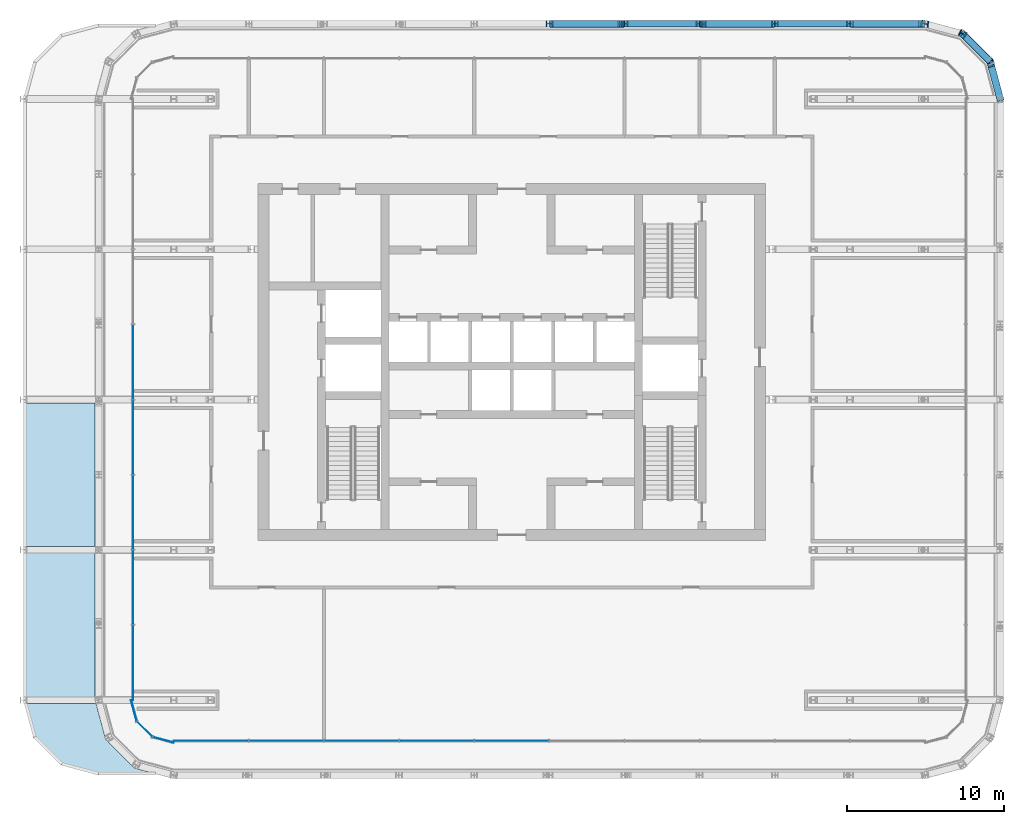
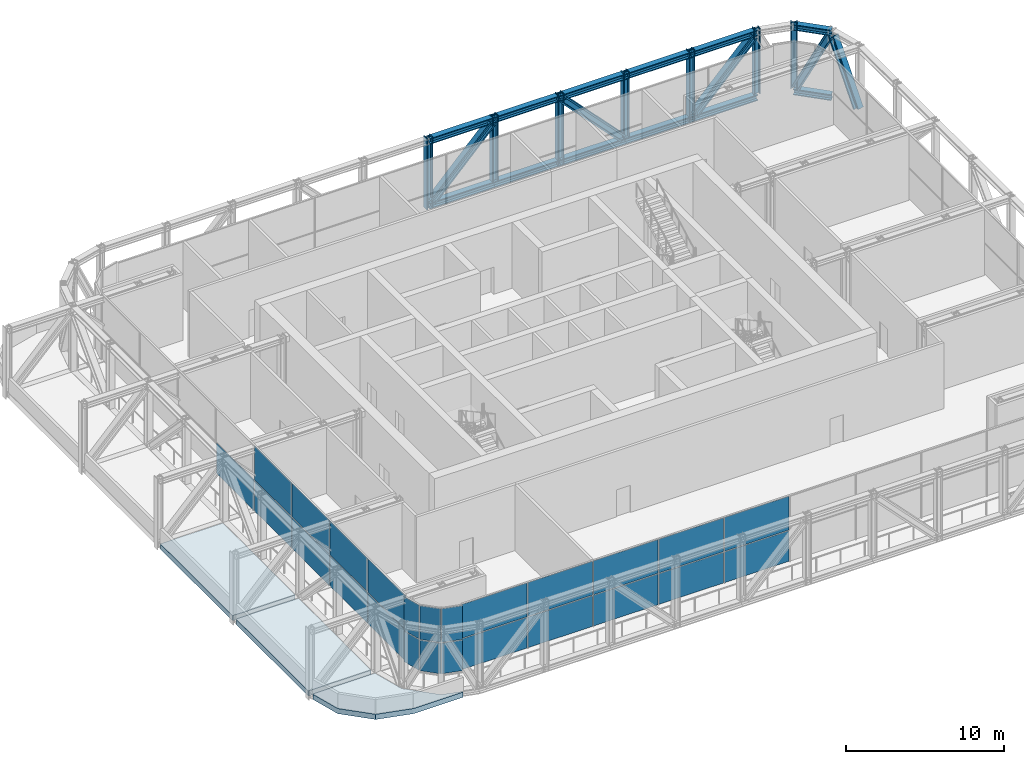
# One storey, part 17 of 30: 25 plates, 24 members, 3 slabs, 3 elements without a shape of their own.
"""IFC4 building model written with IfcOpenShell, lengths in metres."""

import ifcopenshell
import ifcopenshell.guid

model = None  # the IFC model being written
_history = None  # IfcOwnerHistory: only IFC2X3 demands one
_inside = {}  # id of a spatial element -> (the spatial element, [elements in it])
_under = {}  # id of a project, library or spatial element -> (it, [spatial elements below it])
_declared = {}  # id of a project -> (the project, [libraries it declares])
_typed = {}  # id of a type object -> (the type object, [elements of that type])
_made_of = {}  # id of a material, layer set ... -> (it, [elements and type objects made of it])


def new_model(schema):
    """Start an empty IFC model of exactly this schema.

    Asked for "IFC4X3", IfcOpenShell would pick the latest addendum, in which some entities
    have other attributes; the version numbers below select the first issue.
    IFC2X3 requires an IfcOwnerHistory on every rooted entity: one is made here for all.
    """
    global model, _history
    if schema == "IFC4X3":
        model = ifcopenshell.file(schema_version=(4, 3, 0, 0))
    else:
        model = ifcopenshell.file(schema=schema)
    _inside.clear()
    _under.clear()
    _declared.clear()
    _typed.clear()
    _made_of.clear()
    _history = None
    if model.schema == "IFC2X3":
        org = make("IfcOrganization", Name="unknown")
        user = make(
            "IfcPersonAndOrganization",
            ThePerson=make("IfcPerson", FamilyName="unknown"),
            TheOrganization=org,
        )
        app = make(
            "IfcApplication",
            ApplicationDeveloper=org,
            Version="unknown",
            ApplicationFullName="unknown",
            ApplicationIdentifier="unknown",
        )
        _history = make(
            "IfcOwnerHistory",
            OwningUser=user,
            OwningApplication=app,
            ChangeAction="ADDED",
            CreationDate=0,
        )
    return model


def make(cls, **values):
    """One entity of the class cls with the attributes given. An attribute that is None is left unset."""
    return model.create_entity(
        cls, **{name: value for name, value in values.items() if value is not None}
    )


def rooted(cls, **values):
    """An entity with a GlobalId (a new one), such as an element, a storey or a relation."""
    return make(cls, GlobalId=ifcopenshell.guid.new(), OwnerHistory=_history, **values)


def si_unit(unit_type, name, prefix=None):
    """IfcSIUnit, for example si_unit("LENGTHUNIT", "METRE", prefix="MILLI")."""
    return make("IfcSIUnit", UnitType=unit_type, Prefix=prefix, Name=name)


def assignment(units):
    """IfcUnitAssignment: the units of a project."""
    return None if units is None else make("IfcUnitAssignment", Units=units)


def point(xyz):
    """IfcCartesianPoint."""
    return None if xyz is None else make("IfcCartesianPoint", Coordinates=xyz)


def direction(xyz):
    """IfcDirection."""
    return None if xyz is None else make("IfcDirection", DirectionRatios=xyz)


def frame(location, z_axis=None, x_axis=None):
    """IfcAxis2Placement3D, a coordinate frame: its origin and axes. An axis left out is left unset."""
    return make(
        "IfcAxis2Placement3D",
        Location=point(location),
        Axis=direction(z_axis),
        RefDirection=direction(x_axis),
    )


def frame_2d(location, x_axis=None):
    """IfcAxis2Placement2D, a coordinate frame in the plane: its origin and x axis."""
    return make(
        "IfcAxis2Placement2D", Location=point(location), RefDirection=direction(x_axis)
    )


def origin():
    """The frame at (0, 0, 0) with its axes left unset."""
    return frame((0.0, 0.0, 0.0))


def origin_2d():
    """The frame at (0, 0) in the plane with its x axis left unset."""
    return frame_2d((0.0, 0.0))


def place(relative_to, where):
    """IfcLocalPlacement: puts the frame where relative to a parent placement (None: the world)."""
    return make(
        "IfcLocalPlacement", PlacementRelTo=relative_to, RelativePlacement=where
    )


def context(
    kind, dimensions, precision=None, world=None, true_north=None, identifier=None
):
    """IfcGeometricRepresentationContext, for example the 3D "Model" context."""
    return make(
        "IfcGeometricRepresentationContext",
        ContextIdentifier=identifier,
        ContextType=kind,
        CoordinateSpaceDimension=dimensions,
        Precision=precision,
        WorldCoordinateSystem=world,
        TrueNorth=true_north,
    )


def subcontext(parent, identifier, kind, view, scale=None):
    """IfcGeometricRepresentationSubContext, for example "Body" below "Model"."""
    return make(
        "IfcGeometricRepresentationSubContext",
        ContextIdentifier=identifier,
        ContextType=kind,
        ParentContext=parent,
        TargetScale=scale,
        TargetView=view,
    )


def project(units=None, contexts=None):
    """IfcProject with its units and contexts."""
    return rooted(
        "IfcProject",
        Name="project",
        RepresentationContexts=contexts,
        UnitsInContext=assignment(units),
    )


def spatial(cls, under=None, at=None, **own):
    """A site, building, storey or space (cls), placed at a placement, below another one or the project."""
    s = rooted(cls, ObjectPlacement=at, **own)
    if under is not None:
        _under.setdefault(under.id(), (under, []))[1].append(s)
    return s


def polyline(points):
    """IfcPolyline through the points."""
    return make("IfcPolyline", Points=[point(p) for p in points])


def profile(cls, at=None, kind="AREA", **sizes):
    """A parametric profile (cls). Its sizes go by their IFC names, for example OverallWidth=200.0."""
    return make(cls, ProfileType=kind, Position=at, **sizes)


def rectangle(**sizes):
    """IfcRectangleProfileDef."""
    return profile("IfcRectangleProfileDef", **sizes)


def i_section(**sizes):
    """IfcIShapeProfileDef."""
    return profile("IfcIShapeProfileDef", **sizes)


def outline(outer, holes=None, kind="AREA"):
    """IfcArbitraryClosedProfileDef: a profile drawn as a closed curve; with holes, ...WithVoids."""
    if holes is None:
        return make("IfcArbitraryClosedProfileDef", ProfileType=kind, OuterCurve=outer)
    return make(
        "IfcArbitraryProfileDefWithVoids",
        ProfileType=kind,
        OuterCurve=outer,
        InnerCurves=holes,
    )


def extrude(swept, where, along, depth):
    """IfcExtrudedAreaSolid: the profile swept, set in the frame where, extruded along a direction by depth."""
    return make(
        "IfcExtrudedAreaSolid",
        SweptArea=swept,
        Position=where,
        ExtrudedDirection=direction(along),
        Depth=depth,
    )


def shape(context_of_items, identifier, shape_type, items):
    """IfcShapeRepresentation: the items that make up one representation, for example the "Body"."""
    return make(
        "IfcShapeRepresentation",
        ContextOfItems=context_of_items,
        RepresentationIdentifier=identifier,
        RepresentationType=shape_type,
        Items=items,
    )


def material(Name=None, Category=None):
    """IfcMaterial."""
    return make("IfcMaterial", Name=Name, Category=Category)


def layer(
    of_material, thickness, ventilated=None, Name=None, Category=None, Priority=None
):
    """IfcMaterialLayer: one layer of a wall or slab, of a material (None: an air gap)."""
    return make(
        "IfcMaterialLayer",
        Material=of_material,
        LayerThickness=thickness,
        IsVentilated=ventilated,
        Name=Name,
        Category=Category,
        Priority=Priority,
    )


def layer_set(layers, Name=None):
    """IfcMaterialLayerSet."""
    return make("IfcMaterialLayerSet", MaterialLayers=layers, LayerSetName=Name)


def material_profile(
    of_material, cross_section, Name=None, Category=None, Priority=None
):
    """IfcMaterialProfile: a cross section and its material."""
    return make(
        "IfcMaterialProfile",
        Name=Name,
        Material=of_material,
        Profile=cross_section,
        Priority=Priority,
        Category=Category,
    )


def profile_set(profiles, Name=None, composite=None):
    """IfcMaterialProfileSet."""
    return make(
        "IfcMaterialProfileSet",
        Name=Name,
        MaterialProfiles=profiles,
        CompositeProfile=composite,
    )


def made_of(thing, what):
    """Note that an element or type object is made of a material, layer set ...; save() writes the relation."""
    if what is not None:
        _made_of.setdefault(what.id(), (what, []))[1].append(thing)
    return thing


def type_object(cls, material=None, **own):
    """A type object (cls), such as IfcWallType, which elements share."""
    return made_of(rooted(cls, **own), material)


def element(
    cls,
    number,
    at=None,
    inside=None,
    cuts=None,
    type_object=None,
    material=None,
    context=None,
    identifier="Body",
    shape_type=None,
    held_by="IfcProductDefinitionShape",
    body=None,
    shapes=None,
    **own,
):
    """One element of the class cls, such as IfcWall. Its Tag is "e" and its number.

    at: its placement. inside: the storey or other place that contains it. cuts: it is an
    opening in that element (IfcRelVoidsElement). A single representation is given by context,
    identifier, shape_type and body (its items); several are given by shapes. held_by: the class
    of the entity that holds the representations. save() writes the other relations.
    """
    e = rooted(cls, Tag="e%d" % number, ObjectPlacement=at, **own)
    if body is not None:
        shapes = [shape(context, identifier, shape_type, body)]
    if shapes is not None:
        e.Representation = make(held_by, Representations=shapes)
    if inside is not None:
        _inside.setdefault(inside.id(), (inside, []))[1].append(e)
    if cuts is not None:
        rooted(
            "IfcRelVoidsElement", RelatingBuildingElement=cuts, RelatedOpeningElement=e
        )
    if type_object is not None:
        _typed.setdefault(type_object.id(), (type_object, []))[1].append(e)
    return made_of(e, material)


def aggregate(whole, parts):
    """IfcRelAggregates: a whole, such as a stair, and the parts it consists of."""
    return rooted("IfcRelAggregates", RelatingObject=whole, RelatedObjects=parts)


def save(model, path):
    """Write the relations noted so far, then the file.

    IfcRelAggregates (storeys below a building ...), IfcRelContainedInSpatialStructure (elements
    in a storey), IfcRelDefinesByType, IfcRelAssociatesMaterial and IfcRelDeclares: one each for
    every whole, place, type object, material and project.
    """
    for whole, parts in _under.values():
        aggregate(whole, parts)
    for where, things in _inside.values():
        rooted(
            "IfcRelContainedInSpatialStructure",
            RelatedElements=things,
            RelatingStructure=where,
        )
    for kind, things in _typed.values():
        rooted("IfcRelDefinesByType", RelatedObjects=things, RelatingType=kind)
    for what, things in _made_of.values():
        rooted("IfcRelAssociatesMaterial", RelatedObjects=things, RelatingMaterial=what)
    for by, libraries in _declared.values():
        rooted("IfcRelDeclares", RelatingContext=by, RelatedDefinitions=libraries)
    model.write(path)


model = new_model("IFC4")

# Units and contexts
model_context = context("Model", 3, precision=1e-05, world=origin(), true_north=direction((0.0, 1.0)))
body_context = subcontext(model_context, "Body", "Model", "MODEL_VIEW")
ifc_project = project(units=[si_unit("LENGTHUNIT", "METRE"), si_unit("AREAUNIT", "SQUARE_METRE"), si_unit("VOLUMEUNIT", "CUBIC_METRE"), si_unit("PLANEANGLEUNIT", "RADIAN"), si_unit("MASSUNIT", "GRAM", prefix="KILO")], contexts=[model_context])

# Site, building, storey
site_placement = place(None, origin())
site = spatial("IfcSite", under=ifc_project, at=site_placement, CompositionType="ELEMENT")
building_placement = place(site_placement, origin())
building = spatial("IfcBuilding", under=site, at=building_placement, Name="Madar Terraces", CompositionType="ELEMENT")
storey_placement = place(building_placement, frame((0.0, 0.0, 173.5)))
storey = spatial("IfcBuildingStorey", under=building, at=storey_placement, Name="L45", CompositionType="ELEMENT", Elevation=173.5)

# Members
ifc_material_1 = material(Name="Steel ASTM A913 Grade 65", Category="steel")
ifc_material_profile_1 = material_profile(ifc_material_1, i_section(OverallWidth=0.421630859375, OverallDepth=0.46484375, WebThickness=0.044921875, FlangeThickness=0.072509765625, at=origin_2d()), Name="W14x398")
ifc_profile_set_1 = profile_set([ifc_material_profile_1], Name="Steel ASTM A913 Grade 65")
member_type_1 = type_object("IfcMemberType", Name="BC6 W14x398", PredefinedType="CHORD", material=ifc_profile_set_1)
member_1_placement = place(storey_placement, frame((61.7568359375, 45.60009765625, -0.1875), z_axis=(-0.707106781187, 0.707106781187, 0.0), x_axis=(-0.707106781187, -0.707106781187, 0.0)))
element("IfcMember", 1, at=member_1_placement, inside=storey, type_object=member_type_1, Name="Exoskeleton truss ring bottom chord BC6", PredefinedType="CHORD", context=body_context, shape_type="SweptSolid", body=[
    extrude(i_section(OverallWidth=0.421630859375, OverallDepth=0.46484375, WebThickness=0.044921875, FlangeThickness=0.072509765625, at=origin_2d()), origin(), (0.0, 0.0, 1.0), 2.484619140625),
])
for number, where, z_axis, x_axis, name in (
    (2, (57.60009765625, 48.0, -0.1875), (-1.0, 0.0, 0.0), (0.0, -1.0, 0.0), "Exoskeleton truss ring bottom chord BC6"),
    (3, (52.800048828125, 48.0, -0.1875), (-1.0, 0.0, 0.0), (0.0, -1.0, 0.0), "Exoskeleton truss ring bottom chord BC6"),
    (4, (48.0, 48.0, -0.1875), (-1.0, 0.0, 0.0), (0.0, -1.0, 0.0), "Exoskeleton truss ring bottom chord BC6"),
    (5, (43.199951171875, 48.0, -0.1875), (-1.0, 0.0, 0.0), (0.0, -1.0, 0.0), "Exoskeleton truss ring bottom chord BC6"),
):
    element("IfcMember", number, at=place(storey_placement, frame(where, z_axis=z_axis, x_axis=x_axis)), inside=storey, type_object=member_type_1, Name=name, PredefinedType="CHORD", context=body_context, shape_type="SweptSolid", body=[
        extrude(i_section(OverallWidth=0.421630859375, OverallDepth=0.46484375, WebThickness=0.044921875, FlangeThickness=0.072509765625, at=origin_2d()), origin(), (0.0, 0.0, 1.0), 4.800048828125),
    ])
member_2_placement = place(storey_placement, frame((38.39990234375, 48.0, -0.1875), z_axis=(-1.0, 0.0, 0.0), x_axis=(0.0, -1.0, 0.0)))
element("IfcMember", 6, at=member_2_placement, inside=storey, type_object=member_type_1, Name="Exoskeleton truss ring bottom chord BC6", PredefinedType="CHORD", context=body_context, shape_type="SweptSolid", body=[
    extrude(i_section(OverallWidth=0.421630859375, OverallDepth=0.46484375, WebThickness=0.044921875, FlangeThickness=0.072509765625, at=origin_2d()), origin(), (0.0, 0.0, 1.0), 4.7998046875),
])
ifc_material_2 = material(Name="Steel ASTM A913 Grade 65", Category="steel")
ifc_material_profile_2 = material_profile(ifc_material_2, i_section(OverallWidth=0.41650390625, OverallDepth=0.444580078125, WebThickness=0.0390625, FlangeThickness=0.062744140625, at=origin_2d()), Name="W14x342")
ifc_profile_set_2 = profile_set([ifc_material_profile_2], Name="Steel ASTM A913 Grade 65")
member_type_2 = type_object("IfcMemberType", Name="TC6 W14x342", PredefinedType="CHORD", material=ifc_profile_set_2)
member_3_placement = place(storey_placement, frame((61.7568359375, 45.60009765625, 4.807861328125), z_axis=(-0.707106781187, 0.707106781187, 0.0), x_axis=(-0.707106781187, -0.707106781187, 0.0)))
element("IfcMember", 7, at=member_3_placement, inside=storey, type_object=member_type_2, Name="Exoskeleton truss ring top chord TC6", PredefinedType="CHORD", context=body_context, shape_type="SweptSolid", body=[
    extrude(i_section(OverallWidth=0.41650390625, OverallDepth=0.444580078125, WebThickness=0.0390625, FlangeThickness=0.062744140625, at=origin_2d()), origin(), (0.0, 0.0, 1.0), 2.484619140625),
])
for number, where, z_axis, x_axis, name in (
    (8, (57.60009765625, 48.0, 4.807861328125), (-1.0, 0.0, 0.0), (0.0, -1.0, 0.0), "Exoskeleton truss ring top chord TC6"),
    (9, (52.800048828125, 48.0, 4.807861328125), (-1.0, 0.0, 0.0), (0.0, -1.0, 0.0), "Exoskeleton truss ring top chord TC6"),
    (10, (48.0, 48.0, 4.807861328125), (-1.0, 0.0, 0.0), (0.0, -1.0, 0.0), "Exoskeleton truss ring top chord TC6"),
    (11, (43.199951171875, 48.0, 4.807861328125), (-1.0, 0.0, 0.0), (0.0, -1.0, 0.0), "Exoskeleton truss ring top chord TC6"),
):
    element("IfcMember", number, at=place(storey_placement, frame(where, z_axis=z_axis, x_axis=x_axis)), inside=storey, type_object=member_type_2, Name=name, PredefinedType="CHORD", context=body_context, shape_type="SweptSolid", body=[
        extrude(i_section(OverallWidth=0.41650390625, OverallDepth=0.444580078125, WebThickness=0.0390625, FlangeThickness=0.062744140625, at=origin_2d()), origin(), (0.0, 0.0, 1.0), 4.800048828125),
    ])
member_4_placement = place(storey_placement, frame((38.39990234375, 48.0, 4.807861328125), z_axis=(-1.0, 0.0, 0.0), x_axis=(0.0, -1.0, 0.0)))
element("IfcMember", 12, at=member_4_placement, inside=storey, type_object=member_type_2, Name="Exoskeleton truss ring top chord TC6", PredefinedType="CHORD", context=body_context, shape_type="SweptSolid", body=[
    extrude(i_section(OverallWidth=0.41650390625, OverallDepth=0.444580078125, WebThickness=0.0390625, FlangeThickness=0.062744140625, at=origin_2d()), origin(), (0.0, 0.0, 1.0), 4.7998046875),
])
ifc_material_3 = material(Name="Steel ASTM A913 Grade 65", Category="steel")
ifc_material_profile_3 = material_profile(ifc_material_3, i_section(OverallWidth=0.44189453125, OverallDepth=0.53076171875, WebThickness=0.06591796875, FlangeThickness=0.105712890625, at=origin_2d()), Name="W14x605")
ifc_profile_set_3 = profile_set([ifc_material_profile_3], Name="Steel ASTM A913 Grade 65")
member_type_3 = type_object("IfcMemberType", Name="TD6 W14x605", PredefinedType="BRACE", material=ifc_profile_set_3)
for number, where, z_axis, x_axis, name in (
    (13, (62.3701171875, 43.311767578125, 0.044921875), (-0.115254628021, 0.4301587725, 0.895365735977), (-0.965929232481, -0.258806332687, 0.0), "Exoskeleton truss ring diagonal TD6"),
    (14, (61.6787109375, 45.67822265625, 4.58544921875), (-0.314902720873, 0.314902720873, -0.895361688243), (-0.707106781187, -0.707106781187, 0.0), "Exoskeleton truss ring diagonal TD6"),
):
    element("IfcMember", number, at=place(storey_placement, frame(where, z_axis=z_axis, x_axis=x_axis)), inside=storey, type_object=member_type_3, Name=name, PredefinedType="BRACE", context=body_context, shape_type="SweptSolid", body=[
        extrude(i_section(OverallWidth=0.44189453125, OverallDepth=0.53076171875, WebThickness=0.06591796875, FlangeThickness=0.105712890625, at=origin_2d()), origin(), (0.0, 0.0, 1.0), 5.071044921875),
    ])
for number, where, z_axis, x_axis, name in (
    (15, (57.386474609375, 48.0, 4.58544921875), (-0.692873133915, 0.0, -0.721059512314), (0.0, -1.0, 0.0), "Exoskeleton truss ring diagonal TD6"),
    (16, (47.776611328125, 48.0, 0.044921875), (-0.692873133915, 0.0, 0.721059512314), (0.0, -1.0, 0.0), "Exoskeleton truss ring diagonal TD6"),
    (17, (38.1865234375, 48.0, 4.58544921875), (-0.692893291087, 0.0, -0.721040142549), (0.0, -1.0, 0.0), "Exoskeleton truss ring diagonal TD6"),
):
    element("IfcMember", number, at=place(storey_placement, frame(where, z_axis=z_axis, x_axis=x_axis)), inside=storey, type_object=member_type_3, Name=name, PredefinedType="BRACE", context=body_context, shape_type="SweptSolid", body=[
        extrude(i_section(OverallWidth=0.44189453125, OverallDepth=0.53076171875, WebThickness=0.06591796875, FlangeThickness=0.105712890625, at=origin_2d()), origin(), (0.0, 0.0, 1.0), 6.297119140625),
    ])
ifc_material_4 = material(Name="Steel ASTM A913 Grade 65", Category="steel")
ifc_material_profile_4 = material_profile(ifc_material_4, i_section(OverallWidth=0.411376953125, OverallDepth=0.434326171875, WebThickness=0.035888671875, FlangeThickness=0.057373046875, at=origin_2d()), Name="W14x311")
ifc_profile_set_4 = profile_set([ifc_material_profile_4], Name="Steel ASTM A913 Grade 65")
member_type_4 = type_object("IfcMemberType", Name="TV6 W14x311", PredefinedType="POST", material=ifc_profile_set_4)
for number, where, z_axis, x_axis, name in (
    (18, (60.0, 47.35693359375, 0.044921875), (0.0, 0.0, 1.0), (-0.499999984885, -0.866025412511, 0.0), "Exoskeleton truss ring post TV6"),
    (19, (57.60009765625, 48.0, 0.044921875), (0.0, 0.0, 1.0), (-0.130526174916, -0.991444863652, 0.0), "Exoskeleton truss ring post TV6"),
):
    element("IfcMember", number, at=place(storey_placement, frame(where, z_axis=z_axis, x_axis=x_axis)), inside=storey, type_object=member_type_4, Name=name, PredefinedType="POST", context=body_context, shape_type="SweptSolid", body=[
        extrude(i_section(OverallWidth=0.411376953125, OverallDepth=0.434326171875, WebThickness=0.035888671875, FlangeThickness=0.057373046875, at=origin_2d()), origin(), (0.0, 0.0, 1.0), 5.05517578125),
    ])
member_5_placement = place(storey_placement, frame((52.800048828125, 48.0, -0.419921875), z_axis=(0.0, 0.0, 1.0), x_axis=(0.0, -1.0, 0.0)))
element("IfcMember", 20, at=member_5_placement, inside=storey, type_object=member_type_4, Name="Exoskeleton truss ring post TV6", PredefinedType="POST", context=body_context, shape_type="SweptSolid", body=[
    extrude(i_section(OverallWidth=0.411376953125, OverallDepth=0.434326171875, WebThickness=0.035888671875, FlangeThickness=0.057373046875, at=origin_2d()), origin(), (0.0, 0.0, 1.0), 5.52001953125),
])
member_6_placement = place(storey_placement, frame((48.0, 48.0, 0.044921875), z_axis=(0.0, 0.0, 1.0), x_axis=(0.0, -1.0, 0.0)))
element("IfcMember", 21, at=member_6_placement, inside=storey, type_object=member_type_4, Name="Exoskeleton truss ring post TV6", PredefinedType="POST", context=body_context, shape_type="SweptSolid", body=[
    extrude(i_section(OverallWidth=0.411376953125, OverallDepth=0.434326171875, WebThickness=0.035888671875, FlangeThickness=0.057373046875, at=origin_2d()), origin(), (0.0, 0.0, 1.0), 5.05517578125),
])
member_7_placement = place(storey_placement, frame((43.199951171875, 48.0, -0.419921875), z_axis=(0.0, 0.0, 1.0), x_axis=(0.0, -1.0, 0.0)))
element("IfcMember", 22, at=member_7_placement, inside=storey, type_object=member_type_4, Name="Exoskeleton truss ring post TV6", PredefinedType="POST", context=body_context, shape_type="SweptSolid", body=[
    extrude(i_section(OverallWidth=0.411376953125, OverallDepth=0.434326171875, WebThickness=0.035888671875, FlangeThickness=0.057373046875, at=origin_2d()), origin(), (0.0, 0.0, 1.0), 5.52001953125),
])
member_8_placement = place(storey_placement, frame((38.39990234375, 48.0, 0.044921875), z_axis=(0.0, 0.0, 1.0), x_axis=(0.0, -1.0, 0.0)))
element("IfcMember", 23, at=member_8_placement, inside=storey, type_object=member_type_4, Name="Exoskeleton truss ring post TV6", PredefinedType="POST", context=body_context, shape_type="SweptSolid", body=[
    extrude(i_section(OverallWidth=0.411376953125, OverallDepth=0.434326171875, WebThickness=0.035888671875, FlangeThickness=0.057373046875, at=origin_2d()), origin(), (0.0, 0.0, 1.0), 5.05517578125),
])
member_9_placement = place(storey_placement, frame((33.60009765625, 48.0, -0.419921875), z_axis=(0.0, 0.0, 1.0), x_axis=(0.0, -1.0, 0.0)))
element("IfcMember", 24, at=member_9_placement, inside=storey, type_object=member_type_4, Name="Exoskeleton truss ring post TV6", PredefinedType="POST", context=body_context, shape_type="SweptSolid", body=[
    extrude(i_section(OverallWidth=0.411376953125, OverallDepth=0.434326171875, WebThickness=0.035888671875, FlangeThickness=0.057373046875, at=origin_2d()), origin(), (0.0, 0.0, 1.0), 5.52001953125),
])

# Curtain wall, plates
ifc_material_5 = material(Name="Glass, ceramic frit dark grey, with black aluminium frame", Category="aluminium")
ifc_layer_1 = layer(ifc_material_5, 0.199951171875)
ifc_layer_set_1 = layer_set([ifc_layer_1], Name="Facade curtain wall, tall glazing")
curtain_wall_type = type_object("IfcCurtainWallType", Name="Facade curtain wall, tall glazing", PredefinedType="NOTDEFINED", material=ifc_layer_set_1)
curtain_wall_1_placement = place(storey_placement, origin())
curtain_wall_1 = element("IfcCurtainWall", 25, at=curtain_wall_1_placement, inside=storey, type_object=curtain_wall_type, Name="Outer skin curtain wall south bay 1", PredefinedType="NOTDEFINED")
ifc_material_6 = material(Name="Glass, ceramic frit dark grey", Category="glass")
ifc_layer_2 = layer(ifc_material_6, 0.028076171875)
ifc_layer_set_2 = layer_set([ifc_layer_2], Name="Facade glass panel 28")
plate_type = type_object("IfcPlateType", Name="Facade glass panel 28", PredefinedType="CURTAIN_PANEL", material=ifc_layer_set_2)
plate_1_placement = place(storey_placement, frame((11.985107421875, 2.199951171875, 0.0), z_axis=(0.0, 0.0, 1.0), x_axis=(1.0, 0.0, 0.0)))
plate_1 = element("IfcPlate", 26, at=plate_1_placement, type_object=plate_type, Name="Panel 1", PredefinedType="CURTAIN_PANEL", context=body_context, shape_type="SweptSolid", body=[
    extrude(rectangle(XDim=4.77001953125, YDim=0.028076171875, at=origin_2d()), origin(), (0.0, 0.0, 1.0), 2.3701171875),
])
plate_2_placement = place(storey_placement, frame((11.985107421875, 2.199951171875, 2.43017578125), z_axis=(0.0, 0.0, 1.0), x_axis=(1.0, 0.0, 0.0)))
plate_2 = element("IfcPlate", 27, at=plate_2_placement, type_object=plate_type, Name="Panel 2", PredefinedType="CURTAIN_PANEL", context=body_context, shape_type="SweptSolid", body=[
    extrude(rectangle(XDim=4.77001953125, YDim=0.028076171875, at=origin_2d()), origin(), (0.0, 0.0, 1.0), 2.610107421875),
])
plate_3_placement = place(storey_placement, frame((16.800048828125, 2.199951171875, 0.0), z_axis=(0.0, 0.0, 1.0), x_axis=(1.0, 0.0, 0.0)))
plate_3 = element("IfcPlate", 28, at=plate_3_placement, type_object=plate_type, Name="Panel 3", PredefinedType="CURTAIN_PANEL", context=body_context, shape_type="SweptSolid", body=[
    extrude(rectangle(XDim=4.739990234375, YDim=0.028076171875, at=origin_2d()), origin(), (0.0, 0.0, 1.0), 2.3701171875),
])
plate_4_placement = place(storey_placement, frame((16.800048828125, 2.199951171875, 2.43017578125), z_axis=(0.0, 0.0, 1.0), x_axis=(1.0, 0.0, 0.0)))
plate_4 = element("IfcPlate", 29, at=plate_4_placement, type_object=plate_type, Name="Panel 4", PredefinedType="CURTAIN_PANEL", context=body_context, shape_type="SweptSolid", body=[
    extrude(rectangle(XDim=4.739990234375, YDim=0.028076171875, at=origin_2d()), origin(), (0.0, 0.0, 1.0), 2.610107421875),
])
plate_5_placement = place(storey_placement, frame((21.60009765625, 2.199951171875, 0.0), z_axis=(0.0, 0.0, 1.0), x_axis=(1.0, 0.0, 0.0)))
plate_5 = element("IfcPlate", 30, at=plate_5_placement, type_object=plate_type, Name="Panel 5", PredefinedType="CURTAIN_PANEL", context=body_context, shape_type="SweptSolid", body=[
    extrude(rectangle(XDim=4.739990234375, YDim=0.028076171875, at=origin_2d()), origin(), (0.0, 0.0, 1.0), 2.3701171875),
])
plate_6_placement = place(storey_placement, frame((21.60009765625, 2.199951171875, 2.43017578125), z_axis=(0.0, 0.0, 1.0), x_axis=(1.0, 0.0, 0.0)))
plate_6 = element("IfcPlate", 31, at=plate_6_placement, type_object=plate_type, Name="Panel 6", PredefinedType="CURTAIN_PANEL", context=body_context, shape_type="SweptSolid", body=[
    extrude(rectangle(XDim=4.739990234375, YDim=0.028076171875, at=origin_2d()), origin(), (0.0, 0.0, 1.0), 2.610107421875),
])
plate_7_placement = place(storey_placement, frame((26.39990234375, 2.199951171875, 0.0), z_axis=(0.0, 0.0, 1.0), x_axis=(1.0, 0.0, 0.0)))
plate_7 = element("IfcPlate", 32, at=plate_7_placement, type_object=plate_type, Name="Panel 7", PredefinedType="CURTAIN_PANEL", context=body_context, shape_type="SweptSolid", body=[
    extrude(rectangle(XDim=4.739990234375, YDim=0.028076171875, at=origin_2d()), origin(), (0.0, 0.0, 1.0), 2.3701171875),
])
plate_8_placement = place(storey_placement, frame((26.39990234375, 2.199951171875, 2.43017578125), z_axis=(0.0, 0.0, 1.0), x_axis=(1.0, 0.0, 0.0)))
plate_8 = element("IfcPlate", 33, at=plate_8_placement, type_object=plate_type, Name="Panel 8", PredefinedType="CURTAIN_PANEL", context=body_context, shape_type="SweptSolid", body=[
    extrude(rectangle(XDim=4.739990234375, YDim=0.028076171875, at=origin_2d()), origin(), (0.0, 0.0, 1.0), 2.610107421875),
])
plate_9_placement = place(storey_placement, frame((31.199951171875, 2.199951171875, 0.0), z_axis=(0.0, 0.0, 1.0), x_axis=(1.0, 0.0, 0.0)))
plate_9 = element("IfcPlate", 34, at=plate_9_placement, type_object=plate_type, Name="Panel 9", PredefinedType="CURTAIN_PANEL", context=body_context, shape_type="SweptSolid", body=[
    extrude(rectangle(XDim=4.739990234375, YDim=0.028076171875, at=origin_2d()), origin(), (0.0, 0.0, 1.0), 2.3701171875),
])
plate_10_placement = place(storey_placement, frame((31.199951171875, 2.199951171875, 2.43017578125), z_axis=(0.0, 0.0, 1.0), x_axis=(1.0, 0.0, 0.0)))
plate_10 = element("IfcPlate", 35, at=plate_10_placement, type_object=plate_type, Name="Panel 10", PredefinedType="CURTAIN_PANEL", context=body_context, shape_type="SweptSolid", body=[
    extrude(rectangle(XDim=4.739990234375, YDim=0.028076171875, at=origin_2d()), origin(), (0.0, 0.0, 1.0), 2.610107421875),
])
aggregate(curtain_wall_1, [plate_1, plate_2, plate_3, plate_4, plate_5, plate_6, plate_7, plate_8, plate_9, plate_10])

curtain_wall_2_placement = place(storey_placement, origin())
curtain_wall_2 = element("IfcCurtainWall", 36, at=curtain_wall_2_placement, inside=storey, type_object=curtain_wall_type, Name="Outer skin curtain wall west bay 1", PredefinedType="NOTDEFINED")
plate_11_placement = place(storey_placement, frame((7.0, 26.39990234375, 0.0), z_axis=(0.0, 0.0, 1.0), x_axis=(0.0, -1.0, 0.0)))
plate_11 = element("IfcPlate", 37, at=plate_11_placement, type_object=plate_type, Name="Panel 7", PredefinedType="CURTAIN_PANEL", context=body_context, shape_type="SweptSolid", body=[
    extrude(rectangle(XDim=4.739990234375, YDim=0.028076171875, at=origin_2d()), origin(), (0.0, 0.0, 1.0), 2.3701171875),
])
plate_12_placement = place(storey_placement, frame((7.0, 21.60009765625, 0.0), z_axis=(0.0, 0.0, 1.0), x_axis=(0.0, -1.0, 0.0)))
plate_12 = element("IfcPlate", 38, at=plate_12_placement, type_object=plate_type, Name="Panel 9", PredefinedType="CURTAIN_PANEL", context=body_context, shape_type="SweptSolid", body=[
    extrude(rectangle(XDim=4.739990234375, YDim=0.028076171875, at=origin_2d()), origin(), (0.0, 0.0, 1.0), 2.3701171875),
])
plate_13_placement = place(storey_placement, frame((7.0, 21.60009765625, 2.43017578125), z_axis=(0.0, 0.0, 1.0), x_axis=(0.0, -1.0, 0.0)))
plate_13 = element("IfcPlate", 39, at=plate_13_placement, type_object=plate_type, Name="Panel 10", PredefinedType="CURTAIN_PANEL", context=body_context, shape_type="SweptSolid", body=[
    extrude(rectangle(XDim=4.739990234375, YDim=0.028076171875, at=origin_2d()), origin(), (0.0, 0.0, 1.0), 2.610107421875),
])
plate_14_placement = place(storey_placement, frame((7.0, 16.800048828125, 0.0), z_axis=(0.0, 0.0, 1.0), x_axis=(0.0, -1.0, 0.0)))
plate_14 = element("IfcPlate", 40, at=plate_14_placement, type_object=plate_type, Name="Panel 11", PredefinedType="CURTAIN_PANEL", context=body_context, shape_type="SweptSolid", body=[
    extrude(rectangle(XDim=4.739990234375, YDim=0.028076171875, at=origin_2d()), origin(), (0.0, 0.0, 1.0), 2.3701171875),
])
plate_15_placement = place(storey_placement, frame((7.0, 16.800048828125, 2.43017578125), z_axis=(0.0, 0.0, 1.0), x_axis=(0.0, -1.0, 0.0)))
plate_15 = element("IfcPlate", 41, at=plate_15_placement, type_object=plate_type, Name="Panel 12", PredefinedType="CURTAIN_PANEL", context=body_context, shape_type="SweptSolid", body=[
    extrude(rectangle(XDim=4.739990234375, YDim=0.028076171875, at=origin_2d()), origin(), (0.0, 0.0, 1.0), 2.610107421875),
])
plate_16_placement = place(storey_placement, frame((7.0, 12.0, 0.0), z_axis=(0.0, 0.0, 1.0), x_axis=(0.0, -1.0, 0.0)))
plate_16 = element("IfcPlate", 42, at=plate_16_placement, type_object=plate_type, Name="Panel 13", PredefinedType="CURTAIN_PANEL", context=body_context, shape_type="SweptSolid", body=[
    extrude(rectangle(XDim=4.739990234375, YDim=0.028076171875, at=origin_2d()), origin(), (0.0, 0.0, 1.0), 2.3701171875),
])
plate_17_placement = place(storey_placement, frame((7.0, 12.0, 2.43017578125), z_axis=(0.0, 0.0, 1.0), x_axis=(0.0, -1.0, 0.0)))
plate_17 = element("IfcPlate", 43, at=plate_17_placement, type_object=plate_type, Name="Panel 14", PredefinedType="CURTAIN_PANEL", context=body_context, shape_type="SweptSolid", body=[
    extrude(rectangle(XDim=4.739990234375, YDim=0.028076171875, at=origin_2d()), origin(), (0.0, 0.0, 1.0), 2.610107421875),
])
plate_18_placement = place(storey_placement, frame((7.0, 7.18505859375, 0.0), z_axis=(0.0, 0.0, 1.0), x_axis=(0.0, -1.0, 0.0)))
plate_18 = element("IfcPlate", 44, at=plate_18_placement, type_object=plate_type, Name="Panel 15", PredefinedType="CURTAIN_PANEL", context=body_context, shape_type="SweptSolid", body=[
    extrude(rectangle(XDim=4.77001953125, YDim=0.028076171875, at=origin_2d()), origin(), (0.0, 0.0, 1.0), 2.3701171875),
])
plate_19_placement = place(storey_placement, frame((7.0, 7.18505859375, 2.43017578125), z_axis=(0.0, 0.0, 1.0), x_axis=(0.0, -1.0, 0.0)))
plate_19 = element("IfcPlate", 45, at=plate_19_placement, type_object=plate_type, Name="Panel 16", PredefinedType="CURTAIN_PANEL", context=body_context, shape_type="SweptSolid", body=[
    extrude(rectangle(XDim=4.77001953125, YDim=0.028076171875, at=origin_2d()), origin(), (0.0, 0.0, 1.0), 2.610107421875),
])
aggregate(curtain_wall_2, [plate_11, plate_12, plate_13, plate_14, plate_15, plate_16, plate_17, plate_18, plate_19])

curtain_wall_3_placement = place(storey_placement, origin())
curtain_wall_3 = element("IfcCurtainWall", 46, at=curtain_wall_3_placement, inside=storey, type_object=curtain_wall_type, Name="Outer skin curtain wall south-west corner", PredefinedType="NOTDEFINED")
plate_20_placement = place(storey_placement, frame((7.058349609375, 4.134521484375, 0.0), z_axis=(0.0, 0.0, 1.0), x_axis=(0.258819110244, -0.965925808834, 0.0)))
plate_20 = element("IfcPlate", 47, at=plate_20_placement, type_object=plate_type, Name="Panel 1", PredefinedType="CURTAIN_PANEL", context=body_context, shape_type="SweptSolid", body=[
    extrude(rectangle(XDim=1.3779296875, YDim=0.028076171875, at=origin_2d()), origin(), (0.0, 0.0, 1.0), 2.3701171875),
])
plate_21_placement = place(storey_placement, frame((7.058349609375, 4.134521484375, 2.43017578125), z_axis=(0.0, 0.0, 1.0), x_axis=(0.258819110244, -0.965925808834, 0.0)))
plate_21 = element("IfcPlate", 48, at=plate_21_placement, type_object=plate_type, Name="Panel 2", PredefinedType="CURTAIN_PANEL", context=body_context, shape_type="SweptSolid", body=[
    extrude(rectangle(XDim=1.3779296875, YDim=0.028076171875, at=origin_2d()), origin(), (0.0, 0.0, 1.0), 2.610107421875),
])
plate_22_placement = place(storey_placement, frame((7.7421875, 2.942138671875, 0.0), z_axis=(0.0, 0.0, 1.0), x_axis=(0.707106781187, -0.707106781187, 0.0)))
plate_22 = element("IfcPlate", 49, at=plate_22_placement, type_object=plate_type, Name="Panel 3", PredefinedType="CURTAIN_PANEL", context=body_context, shape_type="SweptSolid", body=[
    extrude(rectangle(XDim=1.347900390625, YDim=0.028076171875, at=origin_2d()), origin(), (0.0, 0.0, 1.0), 2.3701171875),
])
plate_23_placement = place(storey_placement, frame((7.7421875, 2.942138671875, 2.43017578125), z_axis=(0.0, 0.0, 1.0), x_axis=(0.707106781187, -0.707106781187, 0.0)))
plate_23 = element("IfcPlate", 50, at=plate_23_placement, type_object=plate_type, Name="Panel 4", PredefinedType="CURTAIN_PANEL", context=body_context, shape_type="SweptSolid", body=[
    extrude(rectangle(XDim=1.347900390625, YDim=0.028076171875, at=origin_2d()), origin(), (0.0, 0.0, 1.0), 2.610107421875),
])
plate_24_placement = place(storey_placement, frame((8.9345703125, 2.25830078125, 0.0), z_axis=(0.0, 0.0, 1.0), x_axis=(0.965925808834, -0.258819110244, 0.0)))
plate_24 = element("IfcPlate", 51, at=plate_24_placement, type_object=plate_type, Name="Panel 5", PredefinedType="CURTAIN_PANEL", context=body_context, shape_type="SweptSolid", body=[
    extrude(rectangle(XDim=1.3779296875, YDim=0.028076171875, at=origin_2d()), origin(), (0.0, 0.0, 1.0), 2.3701171875),
])
plate_25_placement = place(storey_placement, frame((8.9345703125, 2.25830078125, 2.43017578125), z_axis=(0.0, 0.0, 1.0), x_axis=(0.965925808834, -0.258819110244, 0.0)))
plate_25 = element("IfcPlate", 52, at=plate_25_placement, type_object=plate_type, Name="Panel 6", PredefinedType="CURTAIN_PANEL", context=body_context, shape_type="SweptSolid", body=[
    extrude(rectangle(XDim=1.3779296875, YDim=0.028076171875, at=origin_2d()), origin(), (0.0, 0.0, 1.0), 2.610107421875),
])
aggregate(curtain_wall_3, [plate_20, plate_21, plate_22, plate_23, plate_24, plate_25])

# Slabs
ifc_material_7 = material(Name="Concrete C50/60", Category="concrete")
ifc_layer_3 = layer(ifc_material_7, 0.39990234375)
ifc_layer_set_3 = layer_set([ifc_layer_3], Name="TS1 PT terrace slab 400")
slab_type = type_object("IfcSlabType", Name="TS1 PT terrace slab 400", PredefinedType="FLOOR", material=ifc_layer_set_3)
slab_1_placement = place(storey_placement, frame((0.0, 0.0, -0.39990234375)))
element("IfcSlab", 53, at=slab_1_placement, inside=storey, type_object=slab_type, Name="Terrace roof slab L45 (1)", PredefinedType="FLOOR", context=body_context, shape_type="SweptSolid", body=[
    extrude(outline(polyline([(0.0009765625, 14.14892578125), (0.000244140625, 14.14404296875), (0.0, 14.13916015625), (0.0, 5.060791015625), (0.000244140625, 5.055908203125), (0.0009765625, 5.051025390625), (0.002197265625, 5.04638671875), (0.00390625, 5.041748046875), (0.005859375, 5.037353515625), (0.008544921875, 5.032958984375), (0.01123046875, 5.029052734375), (0.0146484375, 5.025390625), (0.018310546875, 5.022216796875), (0.022216796875, 5.019287109375), (0.0263671875, 5.016845703125), (0.03076171875, 5.0146484375), (0.035400390625, 5.012939453125), (0.040283203125, 5.01171875), (0.045166015625, 5.010986328125), (0.050048828125, 5.0107421875), (4.5390625, 5.0107421875), (4.544189453125, 5.010986328125), (4.548828125, 5.01171875), (4.5537109375, 5.012939453125), (4.558349609375, 5.0146484375), (4.562744140625, 5.016845703125), (4.56689453125, 5.019287109375), (4.57080078125, 5.022216796875), (4.574462890625, 5.025390625), (4.577880859375, 5.029052734375), (4.580810546875, 5.032958984375), (4.583251953125, 5.037353515625), (4.58544921875, 5.041748046875), (4.5869140625, 5.04638671875), (4.588134765625, 5.051025390625), (4.5888671875, 5.055908203125), (4.589111328125, 5.060791015625), (4.589111328125, 14.13916015625), (4.5888671875, 14.14404296875), (4.588134765625, 14.14892578125), (4.5869140625, 14.15380859375), (4.58544921875, 14.158203125), (4.583251953125, 14.162841796875), (4.580810546875, 14.1669921875), (4.577880859375, 14.1708984375), (4.574462890625, 14.174560546875), (4.57080078125, 14.177734375), (4.56689453125, 14.1806640625), (4.562744140625, 14.183349609375), (4.558349609375, 14.185302734375), (4.5537109375, 14.18701171875), (4.548828125, 14.188232421875), (4.544189453125, 14.18896484375), (4.5390625, 14.189208984375), (0.050048828125, 14.189208984375), (0.045166015625, 14.18896484375), (0.040283203125, 14.188232421875), (0.035400390625, 14.18701171875), (0.03076171875, 14.185302734375), (0.0263671875, 14.183349609375), (0.022216796875, 14.1806640625), (0.018310546875, 14.177734375), (0.0146484375, 14.174560546875), (0.01123046875, 14.1708984375), (0.008544921875, 14.1669921875), (0.005859375, 14.162841796875), (0.00390625, 14.158203125), (0.002197265625, 14.15380859375), (0.0009765625, 14.14892578125)])), origin(), (0.0, 0.0, 1.0), 0.39990234375),
])
slab_2_placement = place(storey_placement, frame((0.0, 0.0, -0.39990234375)))
element("IfcSlab", 54, at=slab_2_placement, inside=storey, type_object=slab_type, Name="Terrace roof slab L45 (2)", PredefinedType="FLOOR", context=body_context, shape_type="SweptSolid", body=[
    extrude(outline(polyline([(0.0009765625, 23.7490234375), (0.000244140625, 23.744140625), (0.0, 23.7392578125), (0.0, 14.660888671875), (0.000244140625, 14.656005859375), (0.0009765625, 14.651123046875), (0.002197265625, 14.646240234375), (0.00390625, 14.6416015625), (0.005859375, 14.63720703125), (0.008544921875, 14.633056640625), (0.01123046875, 14.629150390625), (0.0146484375, 14.62548828125), (0.018310546875, 14.6220703125), (0.022216796875, 14.619140625), (0.0263671875, 14.61669921875), (0.03076171875, 14.61474609375), (0.035400390625, 14.613037109375), (0.040283203125, 14.61181640625), (0.045166015625, 14.611083984375), (0.050048828125, 14.61083984375), (4.5390625, 14.61083984375), (4.544189453125, 14.611083984375), (4.548828125, 14.61181640625), (4.5537109375, 14.613037109375), (4.558349609375, 14.61474609375), (4.562744140625, 14.61669921875), (4.56689453125, 14.619140625), (4.57080078125, 14.6220703125), (4.574462890625, 14.62548828125), (4.577880859375, 14.629150390625), (4.580810546875, 14.633056640625), (4.583251953125, 14.63720703125), (4.58544921875, 14.6416015625), (4.5869140625, 14.646240234375), (4.588134765625, 14.651123046875), (4.5888671875, 14.656005859375), (4.589111328125, 14.660888671875), (4.589111328125, 23.7392578125), (4.5888671875, 23.744140625), (4.588134765625, 23.7490234375), (4.5869140625, 23.753662109375), (4.58544921875, 23.75830078125), (4.583251953125, 23.7626953125), (4.580810546875, 23.766845703125), (4.577880859375, 23.77099609375), (4.574462890625, 23.7744140625), (4.57080078125, 23.77783203125), (4.56689453125, 23.78076171875), (4.562744140625, 23.783203125), (4.558349609375, 23.785400390625), (4.5537109375, 23.787109375), (4.548828125, 23.788330078125), (4.544189453125, 23.788818359375), (4.5390625, 23.7890625), (0.050048828125, 23.7890625), (0.045166015625, 23.788818359375), (0.040283203125, 23.788330078125), (0.035400390625, 23.787109375), (0.03076171875, 23.785400390625), (0.0263671875, 23.783203125), (0.022216796875, 23.78076171875), (0.018310546875, 23.77783203125), (0.0146484375, 23.7744140625), (0.01123046875, 23.77099609375), (0.008544921875, 23.766845703125), (0.005859375, 23.7626953125), (0.00390625, 23.75830078125), (0.002197265625, 23.753662109375), (0.0009765625, 23.7490234375)])), origin(), (0.0, 0.0, 1.0), 0.39990234375),
])
slab_3_placement = place(storey_placement, frame((0.0, 0.0, -0.39990234375)))
element("IfcSlab", 55, at=slab_3_placement, inside=storey, type_object=slab_type, Name="Terrace roof slab L45 (5)", PredefinedType="FLOOR", context=body_context, shape_type="SweptSolid", body=[
    extrude(outline(polyline([(2.407958984375, 0.64111328125), (2.412841796875, 0.6396484375), (4.793701171875, 0.001708984375), (4.7978515625, 0.000732421875), (4.80224609375, 0.000244140625), (4.806640625, 0.0), (8.40576171875, 0.0), (8.41064453125, 0.000244140625), (8.41552734375, 0.0009765625), (8.42041015625, 0.002197265625), (8.425048828125, 0.00390625), (8.429443359375, 0.006103515625), (8.433837890625, 0.008544921875), (8.437744140625, 0.01171875), (8.44140625, 0.014892578125), (8.444580078125, 0.0185546875), (8.447509765625, 0.022705078125), (8.449951171875, 0.027099609375), (8.4521484375, 0.031494140625), (8.45361328125, 0.0361328125), (8.454833984375, 0.041015625), (8.45556640625, 0.0458984375), (8.45556640625, 0.05078125), (8.455322265625, 0.055908203125), (8.45458984375, 0.060791015625), (8.453125, 0.0654296875), (8.451416015625, 0.070068359375), (8.44921875, 0.07470703125), (8.446533203125, 0.078857421875), (8.443359375, 0.082763671875), (8.43994140625, 0.086181640625), (8.436279296875, 0.089599609375), (8.43212890625, 0.09228515625), (8.427978515625, 0.0947265625), (8.42333984375, 0.0966796875), (8.418701171875, 0.098388671875), (7.092041015625, 0.45361328125), (7.0908203125, 0.4541015625), (7.08984375, 0.455078125), (5.2548828125, 2.2900390625), (5.254150390625, 2.291015625), (5.253662109375, 2.292236328125), (4.648193359375, 4.552001953125), (4.646728515625, 4.556884765625), (4.64453125, 4.5615234375), (4.64208984375, 4.56591796875), (4.63916015625, 4.570068359375), (4.635986328125, 4.57373046875), (4.63232421875, 4.5771484375), (4.628173828125, 4.580322265625), (4.6240234375, 4.5830078125), (4.619384765625, 4.585205078125), (4.61474609375, 4.5869140625), (4.60986328125, 4.588134765625), (4.60498046875, 4.5888671875), (4.599853515625, 4.589111328125), (0.12158203125, 4.589111328125), (0.116943359375, 4.5888671875), (0.112060546875, 4.588134765625), (0.107421875, 4.587158203125), (0.102783203125, 4.58544921875), (0.098388671875, 4.58349609375), (0.09423828125, 4.5810546875), (0.09033203125, 4.578125), (0.086669921875, 4.574951171875), (0.08349609375, 4.571533203125), (0.08056640625, 4.567626953125), (0.078125, 4.5634765625), (0.075927734375, 4.559326171875), (0.07421875, 4.5546875), (0.07275390625, 4.550048828125), (0.072021484375, 4.54541015625), (0.07177734375, 4.54052734375), (0.07177734375, 4.53564453125), (0.072265625, 4.531005859375), (0.0732421875, 4.526123046875), (0.6396484375, 2.412841796875), (0.64111328125, 2.407958984375), (0.643310546875, 2.403076171875), (0.64599609375, 2.398681640625), (0.649169921875, 2.39453125), (0.652587890625, 2.390625), (2.390625, 0.652587890625), (2.39453125, 0.649169921875), (2.398681640625, 0.64599609375), (2.403076171875, 0.643310546875), (2.407958984375, 0.64111328125)])), origin(), (0.0, 0.0, 1.0), 0.39990234375),
])

save(model, "model.ifc")
